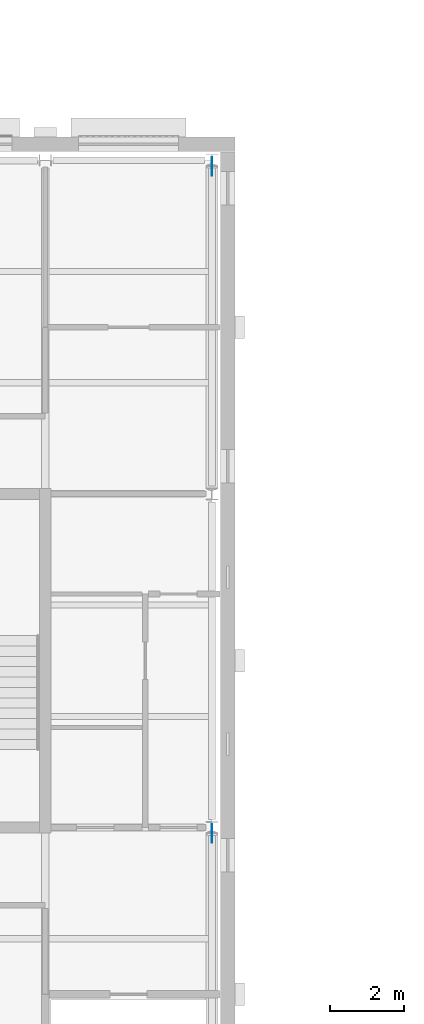
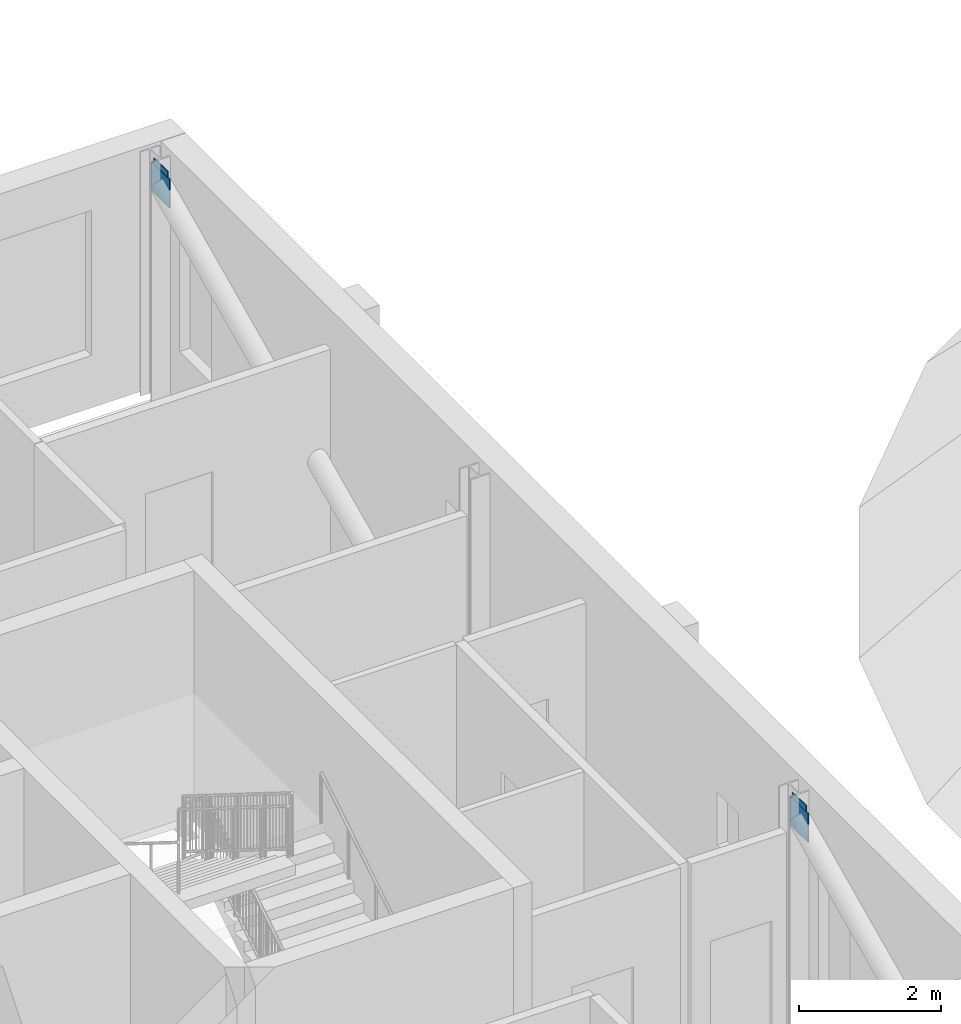
# One storey, part 12 of 15: 4 discrete accessories.
"""IFC4 building model written with IfcOpenShell, lengths in metres."""

from ifc_helpers import new_model, si_unit, direction, frame, origin, origin_2d, place, context, subcontext, project, spatial, rectangle, extrude, material, type_object, element, save


model = new_model("IFC4")

# Units and contexts
model_context = context("Model", 3, precision=1e-05, world=origin(), true_north=direction((0.0, 1.0)))
body_context = subcontext(model_context, "Body", "Model", "MODEL_VIEW")
ifc_project = project(units=[si_unit("LENGTHUNIT", "METRE"), si_unit("AREAUNIT", "SQUARE_METRE"), si_unit("VOLUMEUNIT", "CUBIC_METRE"), si_unit("PLANEANGLEUNIT", "RADIAN"), si_unit("MASSUNIT", "GRAM", prefix="KILO")], contexts=[model_context])

# Site, building, storey
site_placement = place(None, origin())
site = spatial("IfcSite", under=ifc_project, at=site_placement, CompositionType="ELEMENT")
building_placement = place(site_placement, origin())
building = spatial("IfcBuilding", under=site, at=building_placement, Name="Hortulan Conservatory and Botanical Research Centre", CompositionType="ELEMENT")
storey_placement = place(building_placement, frame((0.0, 0.0, 23.39990234375)))
storey = spatial("IfcBuildingStorey", under=building, at=storey_placement, Name="L05", CompositionType="ELEMENT", Elevation=23.39990234375)

# Discrete accessories
ifc_material = material(Name="Steel Grade 300 plate (AS/NZS 3678, 280 MPa minimum yield)", Category="steel")
discrete_accessory_type_1 = type_object("IfcDiscreteAccessoryType", Name="End Plate 400x16", PredefinedType="BRACKET", material=ifc_material)
for number, where, z_axis, x_axis, name in (
    (1, (31.5, 8.83642578125, 3.716552734375), (0.0, 0.0, 1.0), (0.0, -1.0, 0.0), "Brace end plate"),
    (2, (31.5, 26.83642578125, 3.716552734375), (0.0, 0.0, 1.0), (0.0, -1.0, 0.0), "Brace end plate"),
):
    element("IfcDiscreteAccessory", number, at=place(storey_placement, frame(where, z_axis=z_axis, x_axis=x_axis)), inside=storey, type_object=discrete_accessory_type_1, Name=name, PredefinedType="BRACKET", context=body_context, shape_type="SweptSolid", body=[
        extrude(rectangle(XDim=0.39990234375, YDim=0.01611328125, at=origin_2d()), origin(), (0.0, 0.0, 1.0), 0.39990234375),
    ])
discrete_accessory_type_2 = type_object("IfcDiscreteAccessoryType", Name="End Plate 500x20", PredefinedType="BRACKET", material=ifc_material)
for number, where, z_axis, x_axis, name in (
    (3, (31.5, 8.83642578125, 3.513916015625), (0.0, 0.0, 1.0), (0.0, -1.0, 0.0), "Brace end plate"),
    (4, (31.5, 26.83642578125, 3.513916015625), (0.0, 0.0, 1.0), (0.0, -1.0, 0.0), "Brace end plate"),
):
    element("IfcDiscreteAccessory", number, at=place(storey_placement, frame(where, z_axis=z_axis, x_axis=x_axis)), inside=storey, type_object=discrete_accessory_type_2, Name=name, PredefinedType="BRACKET", context=body_context, shape_type="SweptSolid", body=[
        extrude(rectangle(XDim=0.5, YDim=0.02001953125, at=origin_2d()), origin(), (0.0, 0.0, 1.0), 0.5),
    ])

save(model, "model.ifc")
